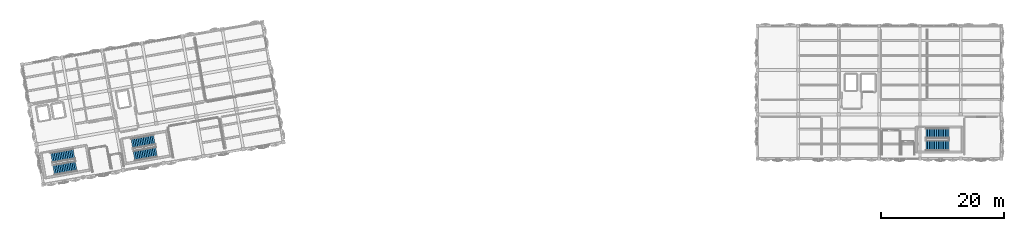
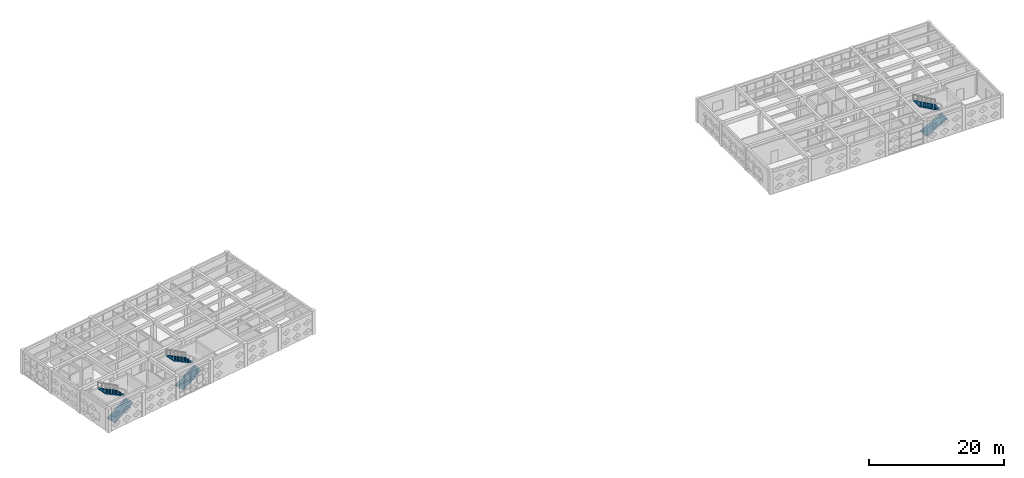
# One storey, part 31 of 36: 6 stair flights, 3 elements without a shape of their own.
"""IFC4 building model written with IfcOpenShell, lengths in metres."""

from ifc_helpers import new_model, si_unit, direction, frame, origin, place, context, subcontext, project, spatial, polyline, outline, extrude, material, type_object, element, aggregate, save


model = new_model("IFC4")

# Units and contexts
model_context = context("Model", 3, precision=1e-05, world=origin(), true_north=direction((0.0, 1.0)))
body_context = subcontext(model_context, "Body", "Model", "MODEL_VIEW")
ifc_project = project(units=[si_unit("LENGTHUNIT", "METRE"), si_unit("AREAUNIT", "SQUARE_METRE"), si_unit("VOLUMEUNIT", "CUBIC_METRE"), si_unit("PLANEANGLEUNIT", "RADIAN"), si_unit("MASSUNIT", "GRAM", prefix="KILO")], contexts=[model_context])

# Site, building, storey
site_placement = place(None, origin())
site = spatial("IfcSite", under=ifc_project, at=site_placement, CompositionType="ELEMENT")
building_placement = place(site_placement, origin())
building = spatial("IfcBuilding", under=site, at=building_placement, Name="Kharisveld Research Institute", CompositionType="ELEMENT")
storey_placement = place(building_placement, frame((0.0, 0.0, 27.60009765625)))
storey = spatial("IfcBuildingStorey", under=building, at=storey_placement, Name="L06", CompositionType="ELEMENT", Elevation=27.60009765625)

# Stair, stair flights
ifc_material_1 = material(Name="Concrete C40/50", Category="concrete")
stair_type = type_object("IfcStairType", Name="ST_EXIT_170", PredefinedType="TWO_STRAIGHT_RUN_STAIR", material=ifc_material_1)
stair_1_placement = place(storey_placement, origin())
stair_1 = element("IfcStair", 1, at=stair_1_placement, inside=storey, type_object=stair_type, Name="STR:ST1:L06", PredefinedType="TWO_STRAIGHT_RUN_STAIR")
ifc_material_2 = material(Name="Concrete C40/50", Category="concrete")
stair_flight_type = type_object("IfcStairFlightType", Name="SF_RUN_170", PredefinedType="STRAIGHT", material=ifc_material_2)
stair_flight_1_placement = place(storey_placement, frame((6.891357421875, 37.339111328125, 0.0), z_axis=(0.0, 0.0, 1.0), x_axis=(0.984807753012, 0.173648177667, 0.0)))
stair_flight_1 = element("IfcStairFlight", 2, at=stair_flight_1_placement, type_object=stair_flight_type, Name="ST-01 flight 1", NumberOfRisers=14, NumberOfTreads=13, PredefinedType="STRAIGHT", RiserHeight=0.160714, TreadLength=0.285, context=body_context, shape_type="SweptSolid", body=[
    extrude(outline(polyline([(0.0, 0.0), (0.0, 0.16064453125), (0.284912109375, 0.16064453125), (0.284912109375, 0.321533203125), (0.570068359375, 0.321533203125), (0.570068359375, 0.482177734375), (0.85498046875, 0.482177734375), (0.85498046875, 0.642822265625), (1.139892578125, 0.642822265625), (1.139892578125, 0.803466796875), (1.425048828125, 0.803466796875), (1.425048828125, 0.96435546875), (1.7099609375, 0.96435546875), (1.7099609375, 1.125), (1.9951171875, 1.125), (1.9951171875, 1.28564453125), (2.280029296875, 1.28564453125), (2.280029296875, 1.446533203125), (2.56494140625, 1.446533203125), (2.56494140625, 1.607177734375), (2.85009765625, 1.607177734375), (2.85009765625, 1.767822265625), (3.135009765625, 1.767822265625), (3.135009765625, 1.928466796875), (3.419921875, 1.928466796875), (3.419921875, 2.08935546875), (3.705078125, 2.08935546875), (3.705078125, 2.25), (3.705078125, 1.917236328125), (0.30517578125, 0.0), (0.0, 0.0)])), frame((0.0, 0.85009765625, 0.0), z_axis=(0.0, -1.0, 0.0), x_axis=(1.0, 0.0, 0.0)), (0.0, 0.0, 1.0), 1.699951171875),
])
stair_flight_2_placement = place(storey_placement, frame((10.182373046875, 40.01123046875, 2.25), z_axis=(0.0, 0.0, 1.0), x_axis=(-0.984807753012, -0.173648177667, 0.0)))
stair_flight_2 = element("IfcStairFlight", 3, at=stair_flight_2_placement, type_object=stair_flight_type, Name="ST-01 flight 2", NumberOfRisers=14, NumberOfTreads=13, PredefinedType="STRAIGHT", RiserHeight=0.160714, TreadLength=0.285, context=body_context, shape_type="SweptSolid", body=[
    extrude(outline(polyline([(0.0, 0.0), (0.0, 0.16064453125), (0.284912109375, 0.16064453125), (0.284912109375, 0.321533203125), (0.570068359375, 0.321533203125), (0.570068359375, 0.482177734375), (0.85498046875, 0.482177734375), (0.85498046875, 0.642822265625), (1.139892578125, 0.642822265625), (1.139892578125, 0.803466796875), (1.425048828125, 0.803466796875), (1.425048828125, 0.96435546875), (1.7099609375, 0.96435546875), (1.7099609375, 1.125), (1.9951171875, 1.125), (1.9951171875, 1.28564453125), (2.280029296875, 1.28564453125), (2.280029296875, 1.446533203125), (2.56494140625, 1.446533203125), (2.56494140625, 1.607177734375), (2.85009765625, 1.607177734375), (2.85009765625, 1.767822265625), (3.135009765625, 1.767822265625), (3.135009765625, 1.928466796875), (3.419921875, 1.928466796875), (3.419921875, 2.08935546875), (3.705078125, 2.08935546875), (3.705078125, 2.25), (3.705078125, 1.917236328125), (0.30517578125, 0.0), (0.0, 0.0)])), frame((0.0, 0.85009765625, 0.0), z_axis=(0.0, -1.0, 0.0), x_axis=(1.0, 0.0, 0.0)), (0.0, 0.0, 1.0), 1.699951171875),
])
aggregate(stair_1, [stair_flight_1, stair_flight_2])

stair_2_placement = place(storey_placement, origin())
stair_2 = element("IfcStair", 4, at=stair_2_placement, inside=storey, type_object=stair_type, Name="STR:ST2:L06", PredefinedType="TWO_STRAIGHT_RUN_STAIR")
stair_flight_3_placement = place(storey_placement, frame((19.93994140625, 39.639892578125, 0.0), z_axis=(0.0, 0.0, 1.0), x_axis=(0.984807753012, 0.173648177667, 0.0)))
stair_flight_3 = element("IfcStairFlight", 5, at=stair_flight_3_placement, type_object=stair_flight_type, Name="ST-02 flight 1", NumberOfRisers=14, NumberOfTreads=13, PredefinedType="STRAIGHT", RiserHeight=0.160714, TreadLength=0.285, context=body_context, shape_type="SweptSolid", body=[
    extrude(outline(polyline([(0.0, 0.0), (0.0, 0.16064453125), (0.284912109375, 0.16064453125), (0.284912109375, 0.321533203125), (0.570068359375, 0.321533203125), (0.570068359375, 0.482177734375), (0.85498046875, 0.482177734375), (0.85498046875, 0.642822265625), (1.139892578125, 0.642822265625), (1.139892578125, 0.803466796875), (1.425048828125, 0.803466796875), (1.425048828125, 0.96435546875), (1.7099609375, 0.96435546875), (1.7099609375, 1.125), (1.9951171875, 1.125), (1.9951171875, 1.28564453125), (2.280029296875, 1.28564453125), (2.280029296875, 1.446533203125), (2.56494140625, 1.446533203125), (2.56494140625, 1.607177734375), (2.85009765625, 1.607177734375), (2.85009765625, 1.767822265625), (3.135009765625, 1.767822265625), (3.135009765625, 1.928466796875), (3.419921875, 1.928466796875), (3.419921875, 2.08935546875), (3.705078125, 2.08935546875), (3.705078125, 2.25), (3.705078125, 1.917236328125), (0.30517578125, 0.0), (0.0, 0.0)])), frame((0.0, 0.85009765625, 0.0), z_axis=(0.0, -1.0, 0.0), x_axis=(1.0, 0.0, 0.0)), (0.0, 0.0, 1.0), 1.699951171875),
])
stair_flight_4_placement = place(storey_placement, frame((23.23095703125, 42.31201171875, 2.25), z_axis=(0.0, 0.0, 1.0), x_axis=(-0.984807753012, -0.173648177667, 0.0)))
stair_flight_4 = element("IfcStairFlight", 6, at=stair_flight_4_placement, type_object=stair_flight_type, Name="ST-02 flight 2", NumberOfRisers=14, NumberOfTreads=13, PredefinedType="STRAIGHT", RiserHeight=0.160714, TreadLength=0.285, context=body_context, shape_type="SweptSolid", body=[
    extrude(outline(polyline([(0.0, 0.0), (0.0, 0.16064453125), (0.284912109375, 0.16064453125), (0.284912109375, 0.321533203125), (0.570068359375, 0.321533203125), (0.570068359375, 0.482177734375), (0.85498046875, 0.482177734375), (0.85498046875, 0.642822265625), (1.139892578125, 0.642822265625), (1.139892578125, 0.803466796875), (1.425048828125, 0.803466796875), (1.425048828125, 0.96435546875), (1.7099609375, 0.96435546875), (1.7099609375, 1.125), (1.9951171875, 1.125), (1.9951171875, 1.28564453125), (2.280029296875, 1.28564453125), (2.280029296875, 1.446533203125), (2.56494140625, 1.446533203125), (2.56494140625, 1.607177734375), (2.85009765625, 1.607177734375), (2.85009765625, 1.767822265625), (3.135009765625, 1.767822265625), (3.135009765625, 1.928466796875), (3.419921875, 1.928466796875), (3.419921875, 2.08935546875), (3.705078125, 2.08935546875), (3.705078125, 2.25), (3.705078125, 1.917236328125), (0.30517578125, 0.0), (0.0, 0.0)])), frame((0.0, 0.85009765625, 0.0), z_axis=(0.0, -1.0, 0.0), x_axis=(1.0, 0.0, 0.0)), (0.0, 0.0, 1.0), 1.699951171875),
])
aggregate(stair_2, [stair_flight_3, stair_flight_4])

stair_3_placement = place(storey_placement, origin())
stair_3 = element("IfcStair", 7, at=stair_3_placement, inside=storey, type_object=stair_type, Name="STR:ST3:L06", PredefinedType="TWO_STRAIGHT_RUN_STAIR")
stair_flight_5_placement = place(storey_placement, frame((148.570068359375, 41.300048828125, 0.0), z_axis=(0.0, 0.0, 1.0), x_axis=(1.0, 0.0, 0.0)))
stair_flight_5 = element("IfcStairFlight", 8, at=stair_flight_5_placement, type_object=stair_flight_type, Name="ST-03 flight 1", NumberOfRisers=14, NumberOfTreads=13, PredefinedType="STRAIGHT", RiserHeight=0.160714, TreadLength=0.285, context=body_context, shape_type="SweptSolid", body=[
    extrude(outline(polyline([(0.0, 0.0), (0.0, 0.16064453125), (0.284912109375, 0.16064453125), (0.284912109375, 0.321533203125), (0.570068359375, 0.321533203125), (0.570068359375, 0.482177734375), (0.85498046875, 0.482177734375), (0.85498046875, 0.642822265625), (1.139892578125, 0.642822265625), (1.139892578125, 0.803466796875), (1.425048828125, 0.803466796875), (1.425048828125, 0.96435546875), (1.7099609375, 0.96435546875), (1.7099609375, 1.125), (1.9951171875, 1.125), (1.9951171875, 1.28564453125), (2.280029296875, 1.28564453125), (2.280029296875, 1.446533203125), (2.56494140625, 1.446533203125), (2.56494140625, 1.607177734375), (2.85009765625, 1.607177734375), (2.85009765625, 1.767822265625), (3.135009765625, 1.767822265625), (3.135009765625, 1.928466796875), (3.419921875, 1.928466796875), (3.419921875, 2.08935546875), (3.705078125, 2.08935546875), (3.705078125, 2.25), (3.705078125, 1.917236328125), (0.30517578125, 0.0), (0.0, 0.0)])), frame((0.0, 0.85009765625, 0.0), z_axis=(0.0, -1.0, 0.0), x_axis=(1.0, 0.0, 0.0)), (0.0, 0.0, 1.0), 1.699951171875),
])
stair_flight_6_placement = place(storey_placement, frame((152.27490234375, 43.360107421875, 2.25), z_axis=(0.0, 0.0, 1.0), x_axis=(-1.0, 0.0, 0.0)))
stair_flight_6 = element("IfcStairFlight", 9, at=stair_flight_6_placement, type_object=stair_flight_type, Name="ST-03 flight 2", NumberOfRisers=14, NumberOfTreads=13, PredefinedType="STRAIGHT", RiserHeight=0.160714, TreadLength=0.285, context=body_context, shape_type="SweptSolid", body=[
    extrude(outline(polyline([(0.0, 0.0), (0.0, 0.16064453125), (0.284912109375, 0.16064453125), (0.284912109375, 0.321533203125), (0.570068359375, 0.321533203125), (0.570068359375, 0.482177734375), (0.85498046875, 0.482177734375), (0.85498046875, 0.642822265625), (1.139892578125, 0.642822265625), (1.139892578125, 0.803466796875), (1.425048828125, 0.803466796875), (1.425048828125, 0.96435546875), (1.7099609375, 0.96435546875), (1.7099609375, 1.125), (1.9951171875, 1.125), (1.9951171875, 1.28564453125), (2.280029296875, 1.28564453125), (2.280029296875, 1.446533203125), (2.56494140625, 1.446533203125), (2.56494140625, 1.607177734375), (2.85009765625, 1.607177734375), (2.85009765625, 1.767822265625), (3.135009765625, 1.767822265625), (3.135009765625, 1.928466796875), (3.419921875, 1.928466796875), (3.419921875, 2.08935546875), (3.705078125, 2.08935546875), (3.705078125, 2.25), (3.705078125, 1.917236328125), (0.30517578125, 0.0), (0.0, 0.0)])), frame((0.0, 0.85009765625, 0.0), z_axis=(0.0, -1.0, 0.0), x_axis=(1.0, 0.0, 0.0)), (0.0, 0.0, 1.0), 1.699951171875),
])
aggregate(stair_3, [stair_flight_5, stair_flight_6])

save(model, "model.ifc")
